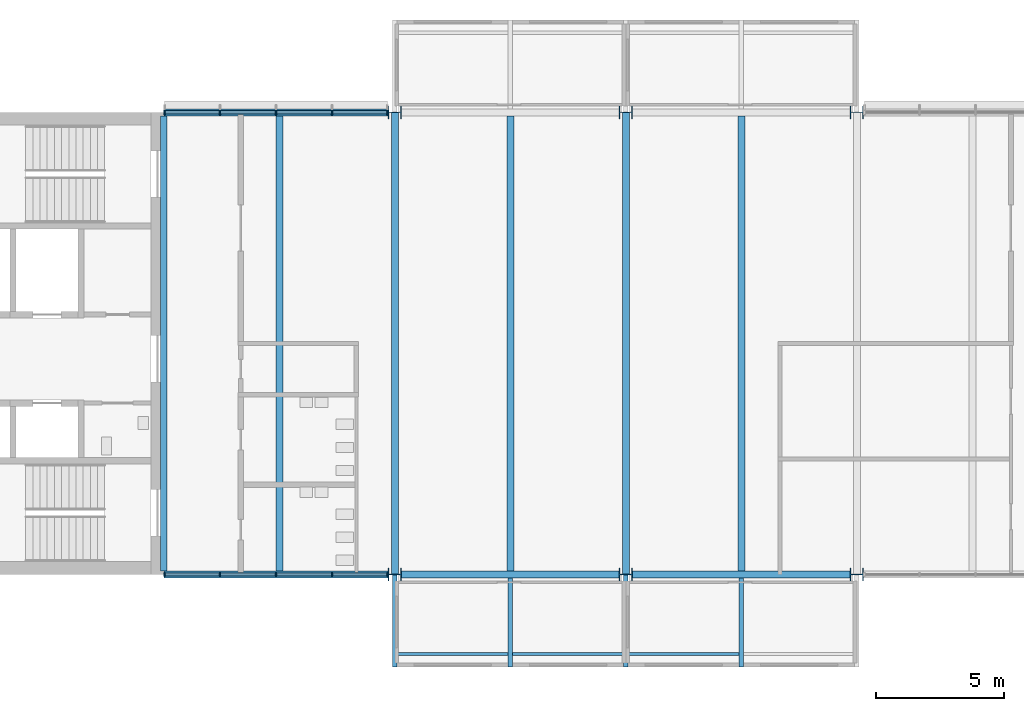
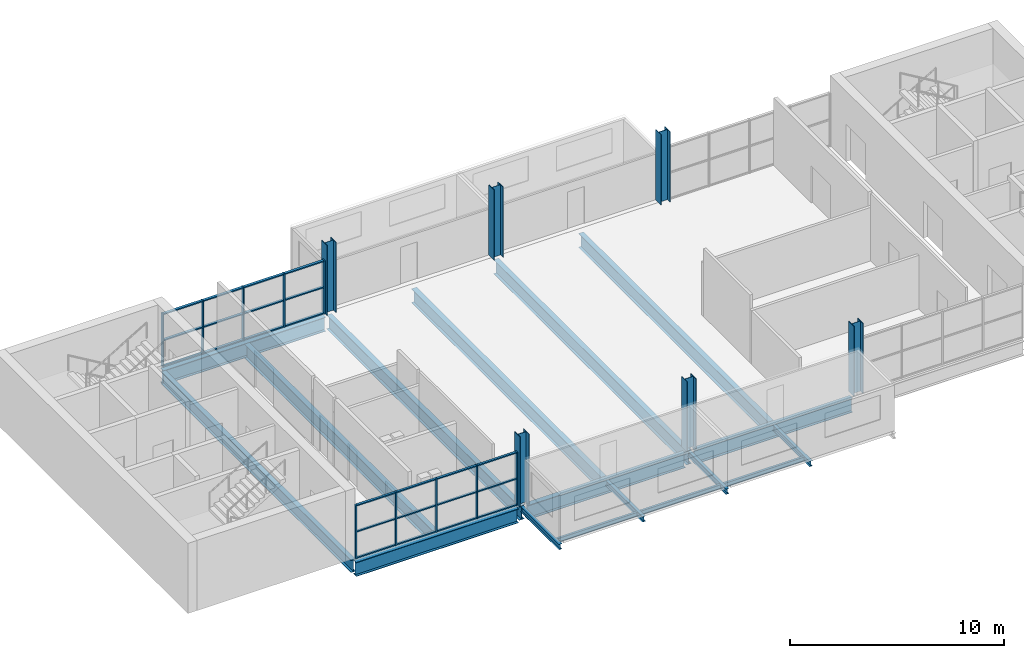
# One storey, part 1 of 10: 34 members, 17 beams, 6 columns, 2 elements without a shape of their own.
"""IFC4 building model written with IfcOpenShell, lengths in metres."""

from ifc_helpers import new_model, si_unit, direction, frame, origin, origin_2d, place, context, subcontext, project, spatial, rectangle, i_section, extrude, material, layer, layer_set, material_profile, profile_set, type_object, element, aggregate, save


model = new_model("IFC4")

# Units and contexts
model_context = context("Model", 3, precision=1e-05, world=origin(), true_north=direction((0.0, 1.0)))
body_context = subcontext(model_context, "Body", "Model", "MODEL_VIEW")
ifc_project = project(units=[si_unit("LENGTHUNIT", "METRE"), si_unit("AREAUNIT", "SQUARE_METRE"), si_unit("VOLUMEUNIT", "CUBIC_METRE"), si_unit("PLANEANGLEUNIT", "RADIAN"), si_unit("MASSUNIT", "GRAM", prefix="KILO")], contexts=[model_context])

# Site, building, storey
site_placement = place(None, origin())
site = spatial("IfcSite", under=ifc_project, at=site_placement, CompositionType="ELEMENT")
building_placement = place(site_placement, origin())
building = spatial("IfcBuilding", under=site, at=building_placement, Name="Corbel Yard City Hall", CompositionType="ELEMENT")
storey_placement = place(building_placement, frame((0.0, 0.0, 23.199951171875)))
storey = spatial("IfcBuildingStorey", under=building, at=storey_placement, Name="L05", CompositionType="ELEMENT", Elevation=23.199951171875)

# Columns
ifc_material_1 = material(Name="Steel Grade 350", Category="steel")
ifc_material_profile_1 = material_profile(ifc_material_1, i_section(OverallWidth=0.5, OverallDepth=0.513916015625, WebThickness=0.02490234375, FlangeThickness=0.031982421875, at=origin_2d()), Name="500WC340")
ifc_profile_set_1 = profile_set([ifc_material_profile_1], Name="Steel Grade 350")
column_type = type_object("IfcColumnType", Name="Column 500WC340", PredefinedType="COLUMN", material=ifc_profile_set_1)
for number, where, z_axis, x_axis, name in (
    (1, (18.0, 99.0, 0.0), (0.0, 0.0, 1.0), (0.0, 1.0, 0.0), "Column 500WC340 L/3 L05"),
    (2, (18.0, 117.0, 0.0), (0.0, 0.0, 1.0), (0.0, 1.0, 0.0), "Column 500WC340 N/3 L05"),
    (3, (27.0, 99.0, 0.0), (0.0, 0.0, 1.0), (0.0, 1.0, 0.0), "Column 500WC340 L/4 L05"),
    (4, (27.0, 117.0, 0.0), (0.0, 0.0, 1.0), (0.0, 1.0, 0.0), "Column 500WC340 N/4 L05"),
    (5, (36.0, 99.0, 0.0), (0.0, 0.0, 1.0), (0.0, 1.0, 0.0), "Column 500WC340 L/5 L05"),
    (6, (36.0, 117.0, 0.0), (0.0, 0.0, 1.0), (0.0, 1.0, 0.0), "Column 500WC340 N/5 L05"),
):
    element("IfcColumn", number, at=place(storey_placement, frame(where, z_axis=z_axis, x_axis=x_axis)), inside=storey, type_object=column_type, Name=name, PredefinedType="COLUMN", context=body_context, shape_type="SweptSolid", body=[
        extrude(i_section(OverallWidth=0.5, OverallDepth=0.513916015625, WebThickness=0.02490234375, FlangeThickness=0.031982421875, at=origin_2d()), origin(), (0.0, 0.0, 1.0), 4.0),
    ])

# Beams
ifc_material_profile_2 = material_profile(ifc_material_1, i_section(OverallWidth=0.27490234375, OverallDepth=0.81005859375, WebThickness=0.010009765625, FlangeThickness=0.02490234375, at=origin_2d()), Name="800WB168")
ifc_profile_set_2 = profile_set([ifc_material_profile_2], Name="Steel Grade 350")
beam_type_1 = type_object("IfcBeamType", Name="Edge beam 800WB168", PredefinedType="BEAM", material=ifc_profile_set_2)
beam_1_placement = place(storey_placement, frame((9.0, 99.0, -0.554931640625), z_axis=(1.0, 0.0, 0.0), x_axis=(0.0, 1.0, 0.0)))
element("IfcBeam", 7, at=beam_1_placement, inside=storey, type_object=beam_type_1, Name="Edge beam 800WB168 EB3 L05tower", PredefinedType="BEAM", context=body_context, shape_type="SweptSolid", body=[
    extrude(i_section(OverallWidth=0.27490234375, OverallDepth=0.81005859375, WebThickness=0.010009765625, FlangeThickness=0.02490234375, at=origin_2d()), origin(), (0.0, 0.0, 1.0), 8.742919921875),
])
for number, where, z_axis, x_axis, name in (
    (8, (18.257080078125, 99.0, -0.554931640625), (1.0, 0.0, 0.0), (0.0, 1.0, 0.0), "Edge beam 800WB168 EB3 L05tower"),
    (9, (27.257080078125, 99.0, -0.554931640625), (1.0, 0.0, 0.0), (0.0, 1.0, 0.0), "Edge beam 800WB168 EB3 L05tower"),
):
    element("IfcBeam", number, at=place(storey_placement, frame(where, z_axis=z_axis, x_axis=x_axis)), inside=storey, type_object=beam_type_1, Name=name, PredefinedType="BEAM", context=body_context, shape_type="SweptSolid", body=[
        extrude(i_section(OverallWidth=0.27490234375, OverallDepth=0.81005859375, WebThickness=0.010009765625, FlangeThickness=0.02490234375, at=origin_2d()), origin(), (0.0, 0.0, 1.0), 8.48583984375),
    ])
beam_2_placement = place(storey_placement, frame((9.0, 117.0, -0.554931640625), z_axis=(1.0, 0.0, 0.0), x_axis=(0.0, 1.0, 0.0)))
element("IfcBeam", 10, at=beam_2_placement, inside=storey, type_object=beam_type_1, Name="Edge beam 800WB168 EB3 L05tower", PredefinedType="BEAM", context=body_context, shape_type="SweptSolid", body=[
    extrude(i_section(OverallWidth=0.27490234375, OverallDepth=0.81005859375, WebThickness=0.010009765625, FlangeThickness=0.02490234375, at=origin_2d()), origin(), (0.0, 0.0, 1.0), 8.742919921875),
])
ifc_material_profile_3 = material_profile(ifc_material_1, i_section(OverallWidth=0.27490234375, OverallDepth=0.800048828125, WebThickness=0.010009765625, FlangeThickness=0.02001953125, at=origin_2d()), Name="800WB146")
ifc_profile_set_3 = profile_set([ifc_material_profile_3], Name="Steel Grade 350")
beam_type_2 = type_object("IfcBeamType", Name="Long-span beam 800WB146", PredefinedType="BEAM", material=ifc_profile_set_3)
for number, where, z_axis, x_axis, name in (
    (11, (18.0, 99.012451171875, -0.550048828125), (0.0, 1.0, 0.0), (-1.0, 0.0, 0.0), "Long-span beam 800WB146 SB8 L05tower"),
    (12, (27.0, 99.012451171875, -0.550048828125), (0.0, 1.0, 0.0), (-1.0, 0.0, 0.0), "Long-span beam 800WB146 SB8 L05tower"),
):
    element("IfcBeam", number, at=place(storey_placement, frame(where, z_axis=z_axis, x_axis=x_axis)), inside=storey, type_object=beam_type_2, Name=name, PredefinedType="BEAM", context=body_context, shape_type="SweptSolid", body=[
        extrude(i_section(OverallWidth=0.27490234375, OverallDepth=0.800048828125, WebThickness=0.010009765625, FlangeThickness=0.02001953125, at=origin_2d()), origin(), (0.0, 0.0, 1.0), 17.97509765625),
    ])
ifc_material_profile_4 = material_profile(ifc_material_1, i_section(OverallWidth=0.25, OverallDepth=0.7099609375, WebThickness=0.010009765625, FlangeThickness=0.02490234375, at=origin_2d()), Name="700WB150")
ifc_profile_set_4 = profile_set([ifc_material_profile_4], Name="Steel Grade 350")
beam_type_3 = type_object("IfcBeamType", Name="Long-span edge beam 700WB150", PredefinedType="BEAM", material=ifc_profile_set_4)
beam_3_placement = place(storey_placement, frame((9.0, 99.137451171875, -0.5048828125), z_axis=(0.0, 1.0, 0.0), x_axis=(-1.0, 0.0, 0.0)))
element("IfcBeam", 13, at=beam_3_placement, inside=storey, type_object=beam_type_3, Name="Long-span edge beam 700WB150 EB8 L05tower", PredefinedType="BEAM", context=body_context, shape_type="SweptSolid", body=[
    extrude(i_section(OverallWidth=0.25, OverallDepth=0.7099609375, WebThickness=0.010009765625, FlangeThickness=0.02490234375, at=origin_2d()), origin(), (0.0, 0.0, 1.0), 17.72509765625),
])
ifc_material_profile_5 = material_profile(ifc_material_1, i_section(OverallWidth=0.27490234375, OverallDepth=0.800048828125, WebThickness=0.010009765625, FlangeThickness=0.02001953125, at=origin_2d()), Name="800WB146")
ifc_profile_set_5 = profile_set([ifc_material_profile_5], Name="Steel Grade 350")
beam_type_4 = type_object("IfcBeamType", Name="Long-span secondary beam 800WB146", PredefinedType="JOIST", material=ifc_profile_set_5)
for number, where, z_axis, x_axis, name in (
    (14, (13.5, 99.137451171875, -0.550048828125), (0.0, 1.0, 0.0), (-1.0, 0.0, 0.0), "Long-span secondary beam 800WB146 SB7 L05tower"),
    (15, (22.5, 99.137451171875, -0.550048828125), (0.0, 1.0, 0.0), (-1.0, 0.0, 0.0), "Long-span secondary beam 800WB146 SB7 L05tower"),
    (16, (31.5, 99.137451171875, -0.550048828125), (0.0, 1.0, 0.0), (-1.0, 0.0, 0.0), "Long-span secondary beam 800WB146 SB7 L05tower"),
):
    element("IfcBeam", number, at=place(storey_placement, frame(where, z_axis=z_axis, x_axis=x_axis)), inside=storey, type_object=beam_type_4, Name=name, PredefinedType="JOIST", context=body_context, shape_type="SweptSolid", body=[
        extrude(i_section(OverallWidth=0.27490234375, OverallDepth=0.800048828125, WebThickness=0.010009765625, FlangeThickness=0.02001953125, at=origin_2d()), origin(), (0.0, 0.0, 1.0), 17.72509765625),
    ])

# Curtain wall, members
ifc_material_2 = material(Name="Aluminium extrusion", Category="aluminium")
ifc_layer_1 = layer(ifc_material_2, 0.14990234375)
ifc_layer_set_1 = layer_set([ifc_layer_1], Name="Aluminium extrusion")
curtain_wall_type_1 = type_object("IfcCurtainWallType", Name="CW2", PredefinedType="USERDEFINED", material=ifc_layer_set_1)
curtain_wall_1_placement = place(storey_placement, origin())
curtain_wall_1 = element("IfcCurtainWall", 17, at=curtain_wall_1_placement, inside=storey, type_object=curtain_wall_type_1, Name="Curtain wall CW2 L05", ObjectType="CURTAIN WALL", PredefinedType="USERDEFINED")
ifc_material_profile_6 = material_profile(ifc_material_2, rectangle(XDim=0.14990234375, YDim=0.06494140625, at=origin_2d()), Name="150x65")
ifc_profile_set_6 = profile_set([ifc_material_profile_6], Name="Aluminium extrusion")
member_type_1 = type_object("IfcMemberType", Name="ML2", PredefinedType="MULLION", material=ifc_profile_set_6)
member_1_placement = place(storey_placement, frame((9.032470703125, 99.0, 0.0), z_axis=(0.0, 0.0, 1.0), x_axis=(0.0, 1.0, 0.0)))
member_1 = element("IfcMember", 18, at=member_1_placement, type_object=member_type_1, Name="CW2 mullion 1", PredefinedType="MULLION", context=body_context, shape_type="SweptSolid", body=[
    extrude(rectangle(XDim=0.14990234375, YDim=0.06494140625, at=origin_2d()), origin(), (0.0, 0.0, 1.0), 3.0400390625),
])
member_2_placement = place(storey_placement, frame((11.185791015625, 99.0, 0.0), z_axis=(0.0, 0.0, 1.0), x_axis=(0.0, 1.0, 0.0)))
member_2 = element("IfcMember", 19, at=member_2_placement, type_object=member_type_1, Name="CW2 mullion 2", PredefinedType="MULLION", context=body_context, shape_type="SweptSolid", body=[
    extrude(rectangle(XDim=0.14990234375, YDim=0.06494140625, at=origin_2d()), origin(), (0.0, 0.0, 1.0), 3.0400390625),
])
member_3_placement = place(storey_placement, frame((13.37158203125, 99.0, 0.0), z_axis=(0.0, 0.0, 1.0), x_axis=(0.0, 1.0, 0.0)))
member_3 = element("IfcMember", 20, at=member_3_placement, type_object=member_type_1, Name="CW2 mullion 3", PredefinedType="MULLION", context=body_context, shape_type="SweptSolid", body=[
    extrude(rectangle(XDim=0.14990234375, YDim=0.06494140625, at=origin_2d()), origin(), (0.0, 0.0, 1.0), 3.0400390625),
])
member_4_placement = place(storey_placement, frame((15.55712890625, 99.0, 0.0), z_axis=(0.0, 0.0, 1.0), x_axis=(0.0, 1.0, 0.0)))
member_4 = element("IfcMember", 21, at=member_4_placement, type_object=member_type_1, Name="CW2 mullion 4", PredefinedType="MULLION", context=body_context, shape_type="SweptSolid", body=[
    extrude(rectangle(XDim=0.14990234375, YDim=0.06494140625, at=origin_2d()), origin(), (0.0, 0.0, 1.0), 3.0400390625),
])
member_5_placement = place(storey_placement, frame((17.71044921875, 99.0, 0.0), z_axis=(0.0, 0.0, 1.0), x_axis=(0.0, 1.0, 0.0)))
member_5 = element("IfcMember", 22, at=member_5_placement, type_object=member_type_1, Name="CW2 mullion 5", PredefinedType="MULLION", context=body_context, shape_type="SweptSolid", body=[
    extrude(rectangle(XDim=0.14990234375, YDim=0.06494140625, at=origin_2d()), origin(), (0.0, 0.0, 1.0), 3.0400390625),
])

ifc_layer_2 = layer(ifc_material_2, 0.179931640625)
ifc_layer_set_2 = layer_set([ifc_layer_2], Name="Aluminium extrusion")
curtain_wall_type_2 = type_object("IfcCurtainWallType", Name="CW6", PredefinedType="USERDEFINED", material=ifc_layer_set_2)
curtain_wall_2_placement = place(storey_placement, origin())
curtain_wall_2 = element("IfcCurtainWall", 23, at=curtain_wall_2_placement, inside=storey, type_object=curtain_wall_type_2, Name="Curtain wall CW6 L05", ObjectType="CURTAIN WALL", PredefinedType="USERDEFINED")
ifc_material_profile_7 = material_profile(ifc_material_2, rectangle(XDim=0.179931640625, YDim=0.06494140625, at=origin_2d()), Name="180x65")
ifc_profile_set_7 = profile_set([ifc_material_profile_7], Name="Aluminium extrusion")
member_type_2 = type_object("IfcMemberType", Name="ML6", PredefinedType="MULLION", material=ifc_profile_set_7)
member_6_placement = place(storey_placement, frame((9.032470703125, 117.0, 0.0), z_axis=(0.0, 0.0, 1.0), x_axis=(0.0, 1.0, 0.0)))
member_6 = element("IfcMember", 24, at=member_6_placement, type_object=member_type_2, Name="CW6 mullion 1", PredefinedType="MULLION", context=body_context, shape_type="SweptSolid", body=[
    extrude(rectangle(XDim=0.179931640625, YDim=0.06494140625, at=origin_2d()), origin(), (0.0, 0.0, 1.0), 3.0400390625),
])
member_7_placement = place(storey_placement, frame((11.185791015625, 117.0, 0.0), z_axis=(0.0, 0.0, 1.0), x_axis=(0.0, 1.0, 0.0)))
member_7 = element("IfcMember", 25, at=member_7_placement, type_object=member_type_2, Name="CW6 mullion 2", PredefinedType="MULLION", context=body_context, shape_type="SweptSolid", body=[
    extrude(rectangle(XDim=0.179931640625, YDim=0.06494140625, at=origin_2d()), origin(), (0.0, 0.0, 1.0), 3.0400390625),
])
member_8_placement = place(storey_placement, frame((13.37158203125, 117.0, 0.0), z_axis=(0.0, 0.0, 1.0), x_axis=(0.0, 1.0, 0.0)))
member_8 = element("IfcMember", 26, at=member_8_placement, type_object=member_type_2, Name="CW6 mullion 3", PredefinedType="MULLION", context=body_context, shape_type="SweptSolid", body=[
    extrude(rectangle(XDim=0.179931640625, YDim=0.06494140625, at=origin_2d()), origin(), (0.0, 0.0, 1.0), 3.0400390625),
])
member_9_placement = place(storey_placement, frame((15.55712890625, 117.0, 0.0), z_axis=(0.0, 0.0, 1.0), x_axis=(0.0, 1.0, 0.0)))
member_9 = element("IfcMember", 27, at=member_9_placement, type_object=member_type_2, Name="CW6 mullion 4", PredefinedType="MULLION", context=body_context, shape_type="SweptSolid", body=[
    extrude(rectangle(XDim=0.179931640625, YDim=0.06494140625, at=origin_2d()), origin(), (0.0, 0.0, 1.0), 3.0400390625),
])
member_10_placement = place(storey_placement, frame((17.71044921875, 117.0, 0.0), z_axis=(0.0, 0.0, 1.0), x_axis=(0.0, 1.0, 0.0)))
member_10 = element("IfcMember", 28, at=member_10_placement, type_object=member_type_2, Name="CW6 mullion 5", PredefinedType="MULLION", context=body_context, shape_type="SweptSolid", body=[
    extrude(rectangle(XDim=0.179931640625, YDim=0.06494140625, at=origin_2d()), origin(), (0.0, 0.0, 1.0), 3.0400390625),
])

# Beams
ifc_material_3 = material(Name="Steel Grade 300 (300 MPa yield)", Category="steel")
ifc_material_profile_8 = material_profile(ifc_material_3, i_section(OverallWidth=0.166015625, OverallDepth=0.306884765625, WebThickness=0.006591796875, FlangeThickness=0.01171875, at=origin_2d()), Name="310UB46.2")
ifc_profile_set_8 = profile_set([ifc_material_profile_8], Name="Steel Grade 300 (300 MPa yield)")
beam_type_5 = type_object("IfcBeamType", Name="Pod stub beam 310UB46.2", PredefinedType="BEAM", material=ifc_profile_set_8)
beam_4_placement = place(storey_placement, frame((18.0, 95.39990234375, -0.303466796875), z_axis=(0.0, 1.0, 0.0), x_axis=(-1.0, 0.0, 0.0)))
element("IfcBeam", 29, at=beam_4_placement, inside=storey, type_object=beam_type_5, Name="Pod stub 310UB46.2 CB1 L05", PredefinedType="BEAM", context=body_context, shape_type="SweptSolid", body=[
    extrude(i_section(OverallWidth=0.166015625, OverallDepth=0.306884765625, WebThickness=0.006591796875, FlangeThickness=0.01171875, at=origin_2d()), origin(), (0.0, 0.0, 1.0), 3.587646484375),
])
beam_5_placement = place(storey_placement, frame((22.5, 95.39990234375, -0.303466796875), z_axis=(0.0, 1.0, 0.0), x_axis=(-1.0, 0.0, 0.0)))
element("IfcBeam", 30, at=beam_5_placement, inside=storey, type_object=beam_type_5, Name="Pod stub 310UB46.2 CB1 L05", PredefinedType="BEAM", context=body_context, shape_type="SweptSolid", body=[
    extrude(i_section(OverallWidth=0.166015625, OverallDepth=0.306884765625, WebThickness=0.006591796875, FlangeThickness=0.01171875, at=origin_2d()), origin(), (0.0, 0.0, 1.0), 3.462646484375),
])
beam_6_placement = place(storey_placement, frame((27.0, 95.39990234375, -0.303466796875), z_axis=(0.0, 1.0, 0.0), x_axis=(-1.0, 0.0, 0.0)))
element("IfcBeam", 31, at=beam_6_placement, inside=storey, type_object=beam_type_5, Name="Pod stub 310UB46.2 CB1 L05", PredefinedType="BEAM", context=body_context, shape_type="SweptSolid", body=[
    extrude(i_section(OverallWidth=0.166015625, OverallDepth=0.306884765625, WebThickness=0.006591796875, FlangeThickness=0.01171875, at=origin_2d()), origin(), (0.0, 0.0, 1.0), 3.587646484375),
])
beam_7_placement = place(storey_placement, frame((31.5, 95.39990234375, -0.303466796875), z_axis=(0.0, 1.0, 0.0), x_axis=(-1.0, 0.0, 0.0)))
element("IfcBeam", 32, at=beam_7_placement, inside=storey, type_object=beam_type_5, Name="Pod stub 310UB46.2 CB1 L05", PredefinedType="BEAM", context=body_context, shape_type="SweptSolid", body=[
    extrude(i_section(OverallWidth=0.166015625, OverallDepth=0.306884765625, WebThickness=0.006591796875, FlangeThickness=0.01171875, at=origin_2d()), origin(), (0.0, 0.0, 1.0), 3.462646484375),
])
ifc_material_profile_9 = material_profile(ifc_material_3, i_section(OverallWidth=0.1240234375, OverallDepth=0.248046875, WebThickness=0.0048828125, FlangeThickness=0.008056640625, at=origin_2d()), Name="250UB25.7")
ifc_profile_set_9 = profile_set([ifc_material_profile_9], Name="Steel Grade 300 (300 MPa yield)")
beam_type_6 = type_object("IfcBeamType", Name="Pod tip beam", PredefinedType="BEAM", material=ifc_profile_set_9)
for number, where, z_axis, x_axis, name in (
    (33, (18.0830078125, 95.89990234375, -0.27392578125), (1.0, 0.0, 0.0), (0.0, 1.0, 0.0), "Pod tip beam"),
    (34, (22.5830078125, 95.89990234375, -0.27392578125), (1.0, 0.0, 0.0), (0.0, 1.0, 0.0), "Pod tip beam"),
    (35, (27.0830078125, 95.89990234375, -0.27392578125), (1.0, 0.0, 0.0), (0.0, 1.0, 0.0), "Pod tip beam"),
):
    element("IfcBeam", number, at=place(storey_placement, frame(where, z_axis=z_axis, x_axis=x_axis)), inside=storey, type_object=beam_type_6, Name=name, PredefinedType="BEAM", context=body_context, shape_type="SweptSolid", body=[
        extrude(i_section(OverallWidth=0.1240234375, OverallDepth=0.248046875, WebThickness=0.0048828125, FlangeThickness=0.008056640625, at=origin_2d()), origin(), (0.0, 0.0, 1.0), 4.333984375),
    ])

# Member
ifc_material_profile_10 = material_profile(ifc_material_2, rectangle(XDim=0.1201171875, YDim=0.06494140625, at=origin_2d()), Name="120x65")
ifc_profile_set_10 = profile_set([ifc_material_profile_10], Name="Aluminium extrusion")
member_type_3 = type_object("IfcMemberType", Name="TR2", PredefinedType="USERDEFINED", material=ifc_profile_set_10)
member_11_placement = place(storey_placement, frame((9.06494140625, 99.0, 0.032470703125), z_axis=(1.0, 0.0, 0.0), x_axis=(0.0, 1.0, 0.0)))
member_11 = element("IfcMember", 36, at=member_11_placement, type_object=member_type_3, Name="CW2 transom 1.1", ObjectType="TRANSOM", PredefinedType="USERDEFINED", context=body_context, shape_type="SweptSolid", body=[
    extrude(rectangle(XDim=0.1201171875, YDim=0.06494140625, at=origin_2d()), origin(), (0.0, 0.0, 1.0), 2.08837890625),
])

member_12_placement = place(storey_placement, frame((9.06494140625, 99.0, 1.52001953125), z_axis=(1.0, 0.0, 0.0), x_axis=(0.0, 1.0, 0.0)))
member_12 = element("IfcMember", 37, at=member_12_placement, type_object=member_type_3, Name="CW2 transom 1.2", ObjectType="TRANSOM", PredefinedType="USERDEFINED", context=body_context, shape_type="SweptSolid", body=[
    extrude(rectangle(XDim=0.1201171875, YDim=0.06494140625, at=origin_2d()), origin(), (0.0, 0.0, 1.0), 2.08837890625),
])

member_13_placement = place(storey_placement, frame((9.06494140625, 99.0, 3.007568359375), z_axis=(1.0, 0.0, 0.0), x_axis=(0.0, 1.0, 0.0)))
member_13 = element("IfcMember", 38, at=member_13_placement, type_object=member_type_3, Name="CW2 transom 1.3", ObjectType="TRANSOM", PredefinedType="USERDEFINED", context=body_context, shape_type="SweptSolid", body=[
    extrude(rectangle(XDim=0.1201171875, YDim=0.06494140625, at=origin_2d()), origin(), (0.0, 0.0, 1.0), 2.08837890625),
])

member_14_placement = place(storey_placement, frame((11.21826171875, 99.0, 0.032470703125), z_axis=(1.0, 0.0, 0.0), x_axis=(0.0, 1.0, 0.0)))
member_14 = element("IfcMember", 39, at=member_14_placement, type_object=member_type_3, Name="CW2 transom 2.1", ObjectType="TRANSOM", PredefinedType="USERDEFINED", context=body_context, shape_type="SweptSolid", body=[
    extrude(rectangle(XDim=0.1201171875, YDim=0.06494140625, at=origin_2d()), origin(), (0.0, 0.0, 1.0), 2.120849609375),
])

member_15_placement = place(storey_placement, frame((11.21826171875, 99.0, 1.52001953125), z_axis=(1.0, 0.0, 0.0), x_axis=(0.0, 1.0, 0.0)))
member_15 = element("IfcMember", 40, at=member_15_placement, type_object=member_type_3, Name="CW2 transom 2.2", ObjectType="TRANSOM", PredefinedType="USERDEFINED", context=body_context, shape_type="SweptSolid", body=[
    extrude(rectangle(XDim=0.1201171875, YDim=0.06494140625, at=origin_2d()), origin(), (0.0, 0.0, 1.0), 2.120849609375),
])

member_16_placement = place(storey_placement, frame((11.21826171875, 99.0, 3.007568359375), z_axis=(1.0, 0.0, 0.0), x_axis=(0.0, 1.0, 0.0)))
member_16 = element("IfcMember", 41, at=member_16_placement, type_object=member_type_3, Name="CW2 transom 2.3", ObjectType="TRANSOM", PredefinedType="USERDEFINED", context=body_context, shape_type="SweptSolid", body=[
    extrude(rectangle(XDim=0.1201171875, YDim=0.06494140625, at=origin_2d()), origin(), (0.0, 0.0, 1.0), 2.120849609375),
])

member_17_placement = place(storey_placement, frame((13.404052734375, 99.0, 0.032470703125), z_axis=(1.0, 0.0, 0.0), x_axis=(0.0, 1.0, 0.0)))
member_17 = element("IfcMember", 42, at=member_17_placement, type_object=member_type_3, Name="CW2 transom 3.1", ObjectType="TRANSOM", PredefinedType="USERDEFINED", context=body_context, shape_type="SweptSolid", body=[
    extrude(rectangle(XDim=0.1201171875, YDim=0.06494140625, at=origin_2d()), origin(), (0.0, 0.0, 1.0), 2.12060546875),
])

member_18_placement = place(storey_placement, frame((13.404052734375, 99.0, 1.52001953125), z_axis=(1.0, 0.0, 0.0), x_axis=(0.0, 1.0, 0.0)))
member_18 = element("IfcMember", 43, at=member_18_placement, type_object=member_type_3, Name="CW2 transom 3.2", ObjectType="TRANSOM", PredefinedType="USERDEFINED", context=body_context, shape_type="SweptSolid", body=[
    extrude(rectangle(XDim=0.1201171875, YDim=0.06494140625, at=origin_2d()), origin(), (0.0, 0.0, 1.0), 2.12060546875),
])

member_19_placement = place(storey_placement, frame((13.404052734375, 99.0, 3.007568359375), z_axis=(1.0, 0.0, 0.0), x_axis=(0.0, 1.0, 0.0)))
member_19 = element("IfcMember", 44, at=member_19_placement, type_object=member_type_3, Name="CW2 transom 3.3", ObjectType="TRANSOM", PredefinedType="USERDEFINED", context=body_context, shape_type="SweptSolid", body=[
    extrude(rectangle(XDim=0.1201171875, YDim=0.06494140625, at=origin_2d()), origin(), (0.0, 0.0, 1.0), 2.12060546875),
])

member_20_placement = place(storey_placement, frame((15.58984375, 99.0, 0.032470703125), z_axis=(1.0, 0.0, 0.0), x_axis=(0.0, 1.0, 0.0)))
member_20 = element("IfcMember", 45, at=member_20_placement, type_object=member_type_3, Name="CW2 transom 4.1", ObjectType="TRANSOM", PredefinedType="USERDEFINED", context=body_context, shape_type="SweptSolid", body=[
    extrude(rectangle(XDim=0.1201171875, YDim=0.06494140625, at=origin_2d()), origin(), (0.0, 0.0, 1.0), 2.088134765625),
])

member_21_placement = place(storey_placement, frame((15.58984375, 99.0, 1.52001953125), z_axis=(1.0, 0.0, 0.0), x_axis=(0.0, 1.0, 0.0)))
member_21 = element("IfcMember", 46, at=member_21_placement, type_object=member_type_3, Name="CW2 transom 4.2", ObjectType="TRANSOM", PredefinedType="USERDEFINED", context=body_context, shape_type="SweptSolid", body=[
    extrude(rectangle(XDim=0.1201171875, YDim=0.06494140625, at=origin_2d()), origin(), (0.0, 0.0, 1.0), 2.088134765625),
])

member_22_placement = place(storey_placement, frame((15.58984375, 99.0, 3.007568359375), z_axis=(1.0, 0.0, 0.0), x_axis=(0.0, 1.0, 0.0)))
member_22 = element("IfcMember", 47, at=member_22_placement, type_object=member_type_3, Name="CW2 transom 4.3", ObjectType="TRANSOM", PredefinedType="USERDEFINED", context=body_context, shape_type="SweptSolid", body=[
    extrude(rectangle(XDim=0.1201171875, YDim=0.06494140625, at=origin_2d()), origin(), (0.0, 0.0, 1.0), 2.088134765625),
])

aggregate(curtain_wall_1, [member_1, member_2, member_3, member_4, member_5, member_11, member_12, member_13, member_14, member_15, member_16, member_17, member_18, member_19, member_20, member_21, member_22])

ifc_material_profile_11 = material_profile(ifc_material_2, rectangle(XDim=0.139892578125, YDim=0.06494140625, at=origin_2d()), Name="140x65")
ifc_profile_set_11 = profile_set([ifc_material_profile_11], Name="Aluminium extrusion")
member_type_4 = type_object("IfcMemberType", Name="TR6", PredefinedType="USERDEFINED", material=ifc_profile_set_11)
member_23_placement = place(storey_placement, frame((9.06494140625, 117.0, 0.032470703125), z_axis=(1.0, 0.0, 0.0), x_axis=(0.0, 1.0, 0.0)))
member_23 = element("IfcMember", 48, at=member_23_placement, type_object=member_type_4, Name="CW6 transom 1.1", ObjectType="TRANSOM", PredefinedType="USERDEFINED", context=body_context, shape_type="SweptSolid", body=[
    extrude(rectangle(XDim=0.139892578125, YDim=0.06494140625, at=origin_2d()), origin(), (0.0, 0.0, 1.0), 2.08837890625),
])

member_24_placement = place(storey_placement, frame((9.06494140625, 117.0, 1.52001953125), z_axis=(1.0, 0.0, 0.0), x_axis=(0.0, 1.0, 0.0)))
member_24 = element("IfcMember", 49, at=member_24_placement, type_object=member_type_4, Name="CW6 transom 1.2", ObjectType="TRANSOM", PredefinedType="USERDEFINED", context=body_context, shape_type="SweptSolid", body=[
    extrude(rectangle(XDim=0.139892578125, YDim=0.06494140625, at=origin_2d()), origin(), (0.0, 0.0, 1.0), 2.08837890625),
])

member_25_placement = place(storey_placement, frame((9.06494140625, 117.0, 3.007568359375), z_axis=(1.0, 0.0, 0.0), x_axis=(0.0, 1.0, 0.0)))
member_25 = element("IfcMember", 50, at=member_25_placement, type_object=member_type_4, Name="CW6 transom 1.3", ObjectType="TRANSOM", PredefinedType="USERDEFINED", context=body_context, shape_type="SweptSolid", body=[
    extrude(rectangle(XDim=0.139892578125, YDim=0.06494140625, at=origin_2d()), origin(), (0.0, 0.0, 1.0), 2.08837890625),
])

member_26_placement = place(storey_placement, frame((11.21826171875, 117.0, 0.032470703125), z_axis=(1.0, 0.0, 0.0), x_axis=(0.0, 1.0, 0.0)))
member_26 = element("IfcMember", 51, at=member_26_placement, type_object=member_type_4, Name="CW6 transom 2.1", ObjectType="TRANSOM", PredefinedType="USERDEFINED", context=body_context, shape_type="SweptSolid", body=[
    extrude(rectangle(XDim=0.139892578125, YDim=0.06494140625, at=origin_2d()), origin(), (0.0, 0.0, 1.0), 2.120849609375),
])

member_27_placement = place(storey_placement, frame((11.21826171875, 117.0, 1.52001953125), z_axis=(1.0, 0.0, 0.0), x_axis=(0.0, 1.0, 0.0)))
member_27 = element("IfcMember", 52, at=member_27_placement, type_object=member_type_4, Name="CW6 transom 2.2", ObjectType="TRANSOM", PredefinedType="USERDEFINED", context=body_context, shape_type="SweptSolid", body=[
    extrude(rectangle(XDim=0.139892578125, YDim=0.06494140625, at=origin_2d()), origin(), (0.0, 0.0, 1.0), 2.120849609375),
])

member_28_placement = place(storey_placement, frame((11.21826171875, 117.0, 3.007568359375), z_axis=(1.0, 0.0, 0.0), x_axis=(0.0, 1.0, 0.0)))
member_28 = element("IfcMember", 53, at=member_28_placement, type_object=member_type_4, Name="CW6 transom 2.3", ObjectType="TRANSOM", PredefinedType="USERDEFINED", context=body_context, shape_type="SweptSolid", body=[
    extrude(rectangle(XDim=0.139892578125, YDim=0.06494140625, at=origin_2d()), origin(), (0.0, 0.0, 1.0), 2.120849609375),
])

member_29_placement = place(storey_placement, frame((13.404052734375, 117.0, 0.032470703125), z_axis=(1.0, 0.0, 0.0), x_axis=(0.0, 1.0, 0.0)))
member_29 = element("IfcMember", 54, at=member_29_placement, type_object=member_type_4, Name="CW6 transom 3.1", ObjectType="TRANSOM", PredefinedType="USERDEFINED", context=body_context, shape_type="SweptSolid", body=[
    extrude(rectangle(XDim=0.139892578125, YDim=0.06494140625, at=origin_2d()), origin(), (0.0, 0.0, 1.0), 2.12060546875),
])

member_30_placement = place(storey_placement, frame((13.404052734375, 117.0, 1.52001953125), z_axis=(1.0, 0.0, 0.0), x_axis=(0.0, 1.0, 0.0)))
member_30 = element("IfcMember", 55, at=member_30_placement, type_object=member_type_4, Name="CW6 transom 3.2", ObjectType="TRANSOM", PredefinedType="USERDEFINED", context=body_context, shape_type="SweptSolid", body=[
    extrude(rectangle(XDim=0.139892578125, YDim=0.06494140625, at=origin_2d()), origin(), (0.0, 0.0, 1.0), 2.12060546875),
])

member_31_placement = place(storey_placement, frame((13.404052734375, 117.0, 3.007568359375), z_axis=(1.0, 0.0, 0.0), x_axis=(0.0, 1.0, 0.0)))
member_31 = element("IfcMember", 56, at=member_31_placement, type_object=member_type_4, Name="CW6 transom 3.3", ObjectType="TRANSOM", PredefinedType="USERDEFINED", context=body_context, shape_type="SweptSolid", body=[
    extrude(rectangle(XDim=0.139892578125, YDim=0.06494140625, at=origin_2d()), origin(), (0.0, 0.0, 1.0), 2.12060546875),
])

member_32_placement = place(storey_placement, frame((15.58984375, 117.0, 0.032470703125), z_axis=(1.0, 0.0, 0.0), x_axis=(0.0, 1.0, 0.0)))
member_32 = element("IfcMember", 57, at=member_32_placement, type_object=member_type_4, Name="CW6 transom 4.1", ObjectType="TRANSOM", PredefinedType="USERDEFINED", context=body_context, shape_type="SweptSolid", body=[
    extrude(rectangle(XDim=0.139892578125, YDim=0.06494140625, at=origin_2d()), origin(), (0.0, 0.0, 1.0), 2.088134765625),
])

member_33_placement = place(storey_placement, frame((15.58984375, 117.0, 1.52001953125), z_axis=(1.0, 0.0, 0.0), x_axis=(0.0, 1.0, 0.0)))
member_33 = element("IfcMember", 58, at=member_33_placement, type_object=member_type_4, Name="CW6 transom 4.2", ObjectType="TRANSOM", PredefinedType="USERDEFINED", context=body_context, shape_type="SweptSolid", body=[
    extrude(rectangle(XDim=0.139892578125, YDim=0.06494140625, at=origin_2d()), origin(), (0.0, 0.0, 1.0), 2.088134765625),
])

member_34_placement = place(storey_placement, frame((15.58984375, 117.0, 3.007568359375), z_axis=(1.0, 0.0, 0.0), x_axis=(0.0, 1.0, 0.0)))
member_34 = element("IfcMember", 59, at=member_34_placement, type_object=member_type_4, Name="CW6 transom 4.3", ObjectType="TRANSOM", PredefinedType="USERDEFINED", context=body_context, shape_type="SweptSolid", body=[
    extrude(rectangle(XDim=0.139892578125, YDim=0.06494140625, at=origin_2d()), origin(), (0.0, 0.0, 1.0), 2.088134765625),
])

aggregate(curtain_wall_2, [member_6, member_7, member_8, member_9, member_10, member_23, member_24, member_25, member_26, member_27, member_28, member_29, member_30, member_31, member_32, member_33, member_34])

save(model, "model.ifc")
